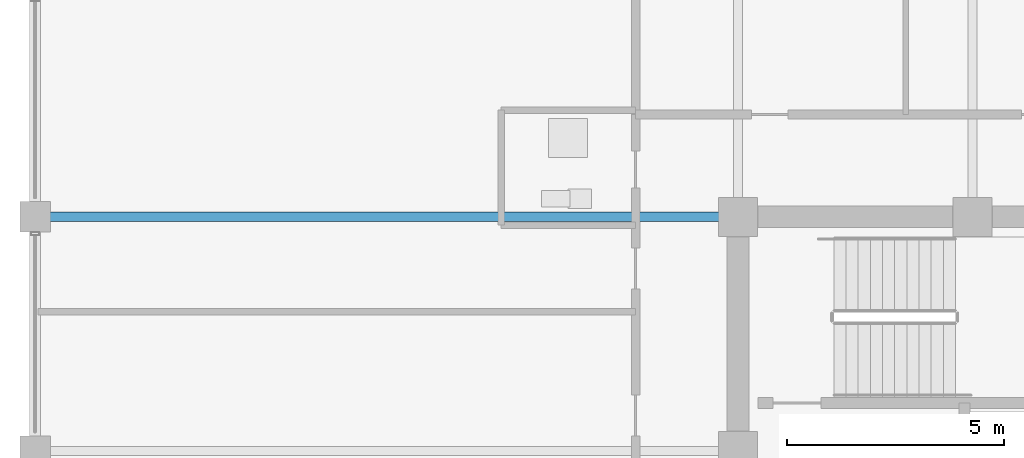
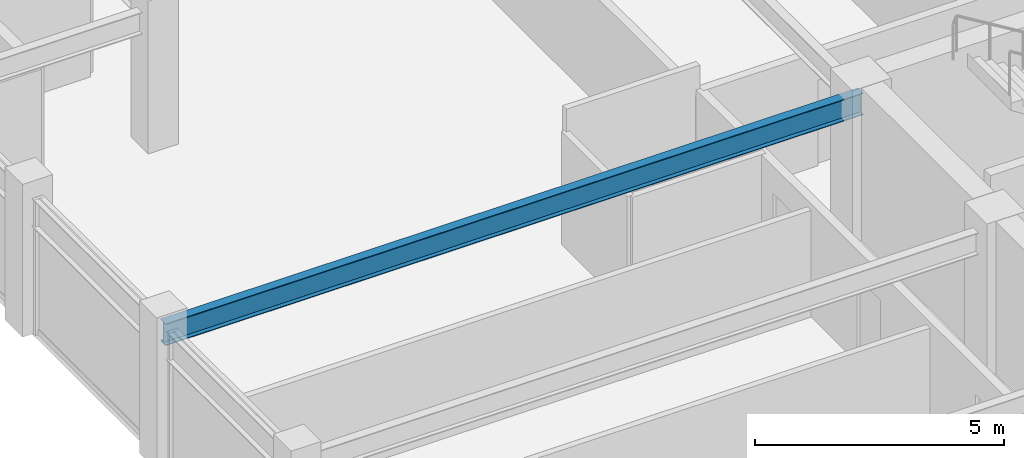
# One storey, part 15 of 31: 1 beam.
"""IFC4 building model written with IfcOpenShell, lengths in metres."""

from ifc_helpers import new_model, si_unit, direction, frame, origin, origin_2d, place, context, subcontext, project, spatial, i_section, extrude, material, material_profile, profile_set, type_object, element, save


model = new_model("IFC4")

# Units and contexts
model_context = context("Model", 3, precision=1e-05, world=origin(), true_north=direction((0.0, 1.0)))
body_context = subcontext(model_context, "Body", "Model", "MODEL_VIEW")
ifc_project = project(units=[si_unit("LENGTHUNIT", "METRE"), si_unit("AREAUNIT", "SQUARE_METRE"), si_unit("VOLUMEUNIT", "CUBIC_METRE"), si_unit("PLANEANGLEUNIT", "RADIAN"), si_unit("MASSUNIT", "GRAM", prefix="KILO")], contexts=[model_context])

# Site, building, storey
site_placement = place(None, origin())
site = spatial("IfcSite", under=ifc_project, at=site_placement, CompositionType="ELEMENT")
building_placement = place(site_placement, origin())
building = spatial("IfcBuilding", under=site, at=building_placement, Name="Surkhivell Harbour Commons", CompositionType="ELEMENT")
storey_placement = place(building_placement, frame((0.0, 0.0, 333.75)))
storey = spatial("IfcBuildingStorey", under=building, at=storey_placement, Name="L87", CompositionType="ELEMENT", Elevation=333.75)

# Beam
ifc_material = material(Name="Steel S355", Category="steel")
ifc_material_profile = material_profile(ifc_material, i_section(OverallWidth=0.2099609375, OverallDepth=0.537109375, WebThickness=0.0107421875, FlangeThickness=0.017333984375, at=origin_2d()), Name="UB533x210x101")
ifc_profile_set = profile_set([ifc_material_profile], Name="Steel S355")
beam_type = type_object("IfcBeamType", Name="BM-GRD-533B", PredefinedType="BEAM", material=ifc_profile_set)
beam_placement = place(storey_placement, frame((-27.0, 10.800048828125, 3.0615234375), z_axis=(1.0, 0.0, 0.0), x_axis=(0.0, 1.0, 0.0)))
element("IfcBeam", 1, at=beam_placement, inside=storey, type_object=beam_type, Name="L87 Floor Girder (-27.0,10.8)", PredefinedType="BEAM", context=body_context, shape_type="SweptSolid", body=[
    extrude(i_section(OverallWidth=0.2099609375, OverallDepth=0.537109375, WebThickness=0.0107421875, FlangeThickness=0.017333984375, at=origin_2d()), origin(), (0.0, 0.0, 1.0), 16.199951171875),
])

save(model, "model.ifc")
